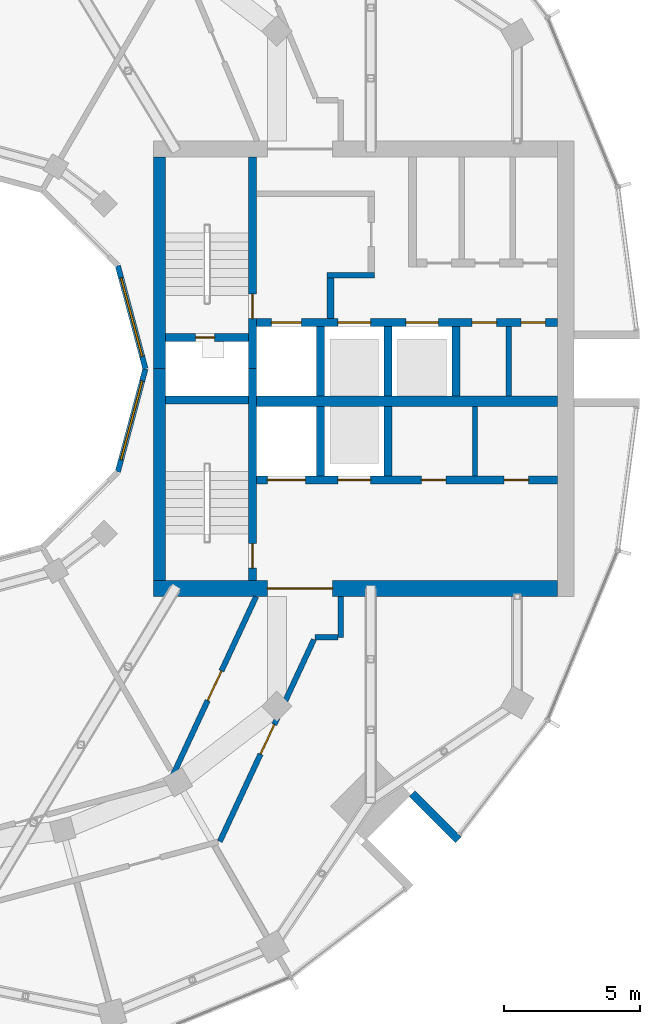
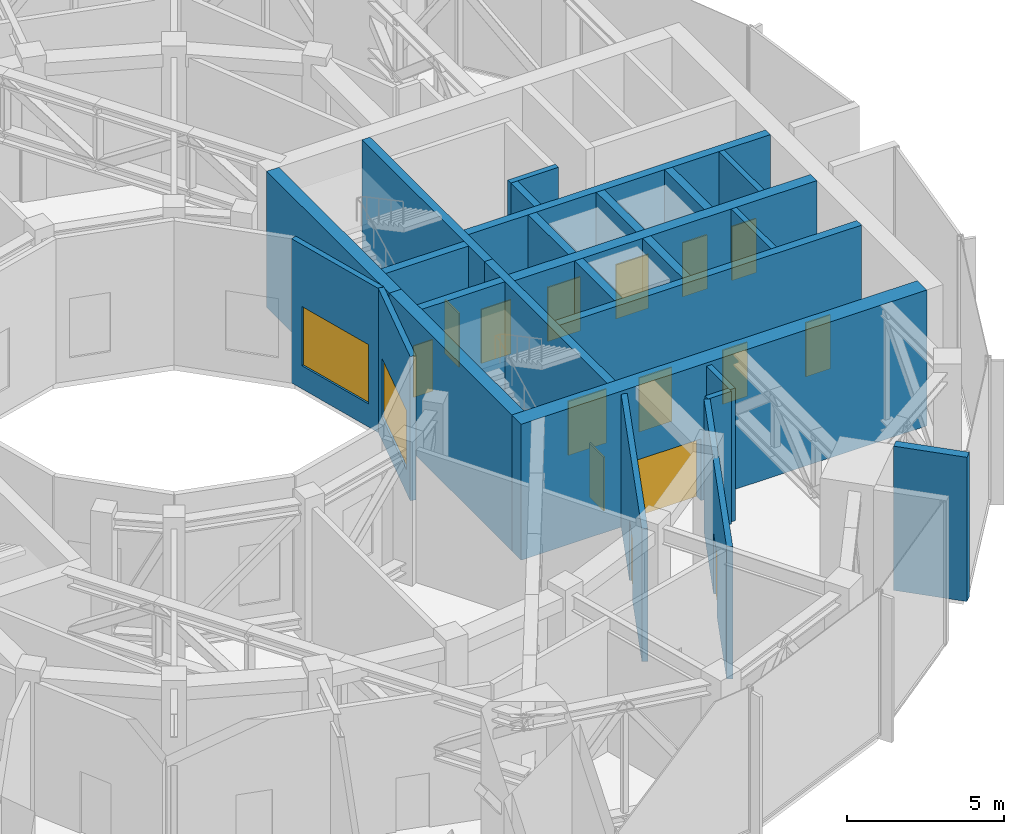
# One storey, part 14 of 18: 26 walls, 15 doors, 2 windows, 17 openings.
"""IFC4 building model written with IfcOpenShell, lengths in metres."""

from ifc_helpers import new_model, si_unit, direction, frame, frame_2d, origin, place, context, subcontext, project, spatial, rectangle, extrude, material, layer, layer_set, type_object, element, fill, save


model = new_model("IFC4")

# Units and contexts
model_context = context("Model", 3, precision=1e-05, world=origin(), true_north=direction((0.0, 1.0)))
body_context = subcontext(model_context, "Body", "Model", "MODEL_VIEW")
ifc_project = project(units=[si_unit("LENGTHUNIT", "METRE"), si_unit("AREAUNIT", "SQUARE_METRE"), si_unit("VOLUMEUNIT", "CUBIC_METRE"), si_unit("PLANEANGLEUNIT", "RADIAN"), si_unit("MASSUNIT", "GRAM", prefix="KILO")], contexts=[model_context])

# Site, building, storey
site_placement = place(None, origin())
site = spatial("IfcSite", under=ifc_project, at=site_placement, CompositionType="ELEMENT")
building_placement = place(site_placement, origin())
building = spatial("IfcBuilding", under=site, at=building_placement, Name="Torre Brocal", CompositionType="ELEMENT")
storey_placement = place(building_placement, frame((0.0, 0.0, 206.89990234375)))
storey = spatial("IfcBuildingStorey", under=building, at=storey_placement, Name="L48", CompositionType="ELEMENT", Elevation=206.89990234375)

# Walls
ifc_material_1 = material(Name="Masonry block", Category="masonry")
ifc_layer_1 = layer(ifc_material_1, 0.199951171875)
ifc_layer_set_1 = layer_set([ifc_layer_1], Name="Masonry block")
wall_type_1 = type_object("IfcWallType", Name="CORE PARTITION 200", PredefinedType="PARTITIONING", material=ifc_layer_set_1)
for number, where, z_axis, x_axis, name in (
    (1, (101.0, 74.0, 0.0), (0.0, 0.0, 1.0), (0.0, 1.0, 0.0), "Wall CP200"),
    (2, (99.75, 71.050048828125, 0.0), (0.0, 0.0, 1.0), (0.0, 1.0, 0.0), "Wall CP200"),
):
    element("IfcWall", number, at=place(storey_placement, frame(where, z_axis=z_axis, x_axis=x_axis)), inside=storey, type_object=wall_type_1, Name=name, PredefinedType="PARTITIONING", context=body_context, shape_type="SweptSolid", body=[
        extrude(rectangle(XDim=2.550048828125, YDim=0.199951171875, at=frame_2d((1.27490234375, 0.0))), origin(), (0.0, 0.0, 1.0), 5.280029296875),
    ])
ifc_material_2 = material(Name="Concrete C60", Category="concrete")
ifc_layer_2 = layer(ifc_material_2, 0.199951171875)
ifc_layer_set_2 = layer_set([ifc_layer_2], Name="Concrete C60")
wall_type_2 = type_object("IfcWallType", Name="CORE WALL 200 C60", PredefinedType="SHEAR", material=ifc_layer_set_2)
wall_1_placement = place(storey_placement, frame((94.300048828125, 78.449951171875, 0.0), z_axis=(0.0, 0.0, 1.0), x_axis=(1.0, 0.0, 0.0)))
element("IfcWall", 3, at=wall_1_placement, inside=storey, type_object=wall_type_2, Name="Wall CW200-60", PredefinedType="SHEAR", context=body_context, shape_type="SweptSolid", body=[
    extrude(rectangle(XDim=1.75, YDim=0.199951171875, at=frame_2d((0.875, 0.0))), origin(), (0.0, 0.0, 1.0), 5.280029296875),
])
ifc_material_3 = material(Name="Concrete C60", Category="concrete")
ifc_layer_3 = layer(ifc_material_3, 0.25)
ifc_layer_set_3 = layer_set([ifc_layer_3], Name="Concrete C60")
wall_type_3 = type_object("IfcWallType", Name="CORE WALL 250 C60", PredefinedType="SHEAR", material=ifc_layer_set_3)
wall_2_placement = place(storey_placement, frame((94.425048828125, 76.85009765625, 0.0), z_axis=(0.0, 0.0, 1.0), x_axis=(0.0, 1.0, 0.0)))
element("IfcWall", 4, at=wall_2_placement, inside=storey, type_object=wall_type_3, Name="Wall CW250-60", PredefinedType="SHEAR", context=body_context, shape_type="SweptSolid", body=[
    extrude(rectangle(XDim=1.5, YDim=0.25, at=frame_2d((0.75, 0.0))), origin(), (0.0, 0.0, 1.0), 5.280029296875),
])

# Wall, opening, door
ifc_material_4 = material(Name="Concrete C60", Category="concrete")
ifc_layer_4 = layer(ifc_material_4, 0.300048828125)
ifc_layer_set_4 = layer_set([ifc_layer_4], Name="Concrete C60")
wall_type_4 = type_object("IfcWallType", Name="CORE WALL 300 C60", PredefinedType="SHEAR", material=ifc_layer_set_4)
wall_3_placement = place(storey_placement, frame((91.550048828125, 75.0, 0.0), z_axis=(0.0, 0.0, 1.0), x_axis=(0.0, 1.0, 0.0)))
wall_3 = element("IfcWall", 5, at=wall_3_placement, inside=storey, type_object=wall_type_4, Name="Wall CW300-60", PredefinedType="SHEAR", context=body_context, shape_type="SweptSolid", body=[
    extrude(rectangle(XDim=7.800048828125, YDim=0.300048828125, at=frame_2d((3.89990234375, 0.0))), origin(), (0.0, 0.0, 1.0), 5.280029296875),
])
opening_1_placement = place(wall_3_placement, frame((1.85009765625, 0.0, 0.0)))
opening_1 = element("IfcOpeningElement", 6, at=opening_1_placement, cuts=wall_3, Name="Opening E-D02", PredefinedType="OPENING", context=body_context, shape_type="SweptSolid", body=[
    extrude(rectangle(XDim=0.89990234375, YDim=2.10009765625, at=frame_2d((0.449951171875, 1.050048828125))), frame((0.0, 0.159912109375, 0.0), z_axis=(0.0, -1.0, 0.0), x_axis=(1.0, 0.0, 0.0)), (0.0, 0.0, 1.0), 0.320068359375),
])
ifc_material_5 = material(Name="Steel A653", Category="steel")
door_type_1 = type_object("IfcDoorType", Name="STAIR DOOR FD120 900X2100", OperationType="SINGLE_SWING_RIGHT", PredefinedType="DOOR", material=ifc_material_5)
door_1_placement = place(opening_1_placement, origin())
door_1 = element("IfcDoor", 7, at=door_1_placement, inside=storey, type_object=door_type_1, Name="Door E-D02", OperationType="SINGLE_SWING_LEFT", OverallHeight=2.10009765625, OverallWidth=0.89990234375, PredefinedType="DOOR", context=body_context, shape_type="SweptSolid", body=[
    extrude(rectangle(XDim=0.89990234375, YDim=2.10009765625, at=frame_2d((0.449951171875, 1.050048828125))), frame((0.0, 0.02490234375, 0.0), z_axis=(0.0, -1.0, 0.0), x_axis=(1.0, 0.0, 0.0)), (0.0, 0.0, 1.0), 0.050048828125),
])
fill(opening_1, door_1)

wall_4_placement = place(storey_placement, frame((91.550048828125, 67.199951171875, 0.0), z_axis=(0.0, 0.0, 1.0), x_axis=(0.0, 1.0, 0.0)))
wall_4 = element("IfcWall", 8, at=wall_4_placement, inside=storey, type_object=wall_type_4, Name="Wall CW300-60", PredefinedType="SHEAR", context=body_context, shape_type="SweptSolid", body=[
    extrude(rectangle(XDim=7.800048828125, YDim=0.300048828125, at=frame_2d((3.89990234375, 0.0))), origin(), (0.0, 0.0, 1.0), 5.280029296875),
])
opening_2_placement = place(wall_4_placement, frame((0.449951171875, 0.0, 0.0)))
opening_2 = element("IfcOpeningElement", 9, at=opening_2_placement, cuts=wall_4, Name="Opening E-D03", PredefinedType="OPENING", context=body_context, shape_type="SweptSolid", body=[
    extrude(rectangle(XDim=0.89990234375, YDim=2.10009765625, at=frame_2d((0.449951171875, 1.050048828125))), frame((0.0, 0.159912109375, 0.0), z_axis=(0.0, -1.0, 0.0), x_axis=(1.0, 0.0, 0.0)), (0.0, 0.0, 1.0), 0.320068359375),
])
door_2_placement = place(opening_2_placement, origin())
door_2 = element("IfcDoor", 10, at=door_2_placement, inside=storey, type_object=door_type_1, Name="Door E-D03", OperationType="SINGLE_SWING_LEFT", OverallHeight=2.10009765625, OverallWidth=0.89990234375, PredefinedType="DOOR", context=body_context, shape_type="SweptSolid", body=[
    extrude(rectangle(XDim=0.89990234375, YDim=2.10009765625, at=frame_2d((0.449951171875, 1.050048828125))), frame((0.0, 0.02490234375, 0.0), z_axis=(0.0, -1.0, 0.0), x_axis=(1.0, 0.0, 0.0)), (0.0, 0.0, 1.0), 0.050048828125),
])
fill(opening_2, door_2)

wall_5_placement = place(storey_placement, frame((88.35009765625, 76.14990234375, 0.0), z_axis=(0.0, 0.0, 1.0), x_axis=(1.0, 0.0, 0.0)))
wall_5 = element("IfcWall", 11, at=wall_5_placement, inside=storey, type_object=wall_type_4, Name="Wall CW300-60", PredefinedType="SHEAR", context=body_context, shape_type="SweptSolid", body=[
    extrude(rectangle(XDim=3.0498046875, YDim=0.300048828125, at=frame_2d((1.52490234375, 0.0))), origin(), (0.0, 0.0, 1.0), 5.280029296875),
])
opening_3_placement = place(wall_5_placement, frame((1.10009765625, 0.0, 0.0)))
opening_3 = element("IfcOpeningElement", 12, at=opening_3_placement, cuts=wall_5, Name="Opening E-D01", PredefinedType="OPENING", context=body_context, shape_type="SweptSolid", body=[
    extrude(rectangle(XDim=0.699951171875, YDim=2.0, at=frame_2d((0.35009765625, 1.0))), frame((0.0, 0.159912109375, 0.0), z_axis=(0.0, -1.0, 0.0), x_axis=(1.0, 0.0, 0.0)), (0.0, 0.0, 1.0), 0.320068359375),
])
ifc_material_6 = material(Name="Steel A653", Category="steel")
door_type_2 = type_object("IfcDoorType", Name="RISER DOOR FD120 700X2000", OperationType="SINGLE_SWING_LEFT", PredefinedType="DOOR", material=ifc_material_6)
door_3_placement = place(opening_3_placement, frame((0.699951171875, 0.0, 0.0), z_axis=(0.0, 0.0, 1.0), x_axis=(-1.0, 0.0, 0.0)))
door_3 = element("IfcDoor", 13, at=door_3_placement, inside=storey, type_object=door_type_2, Name="Door E-D01", OperationType="SINGLE_SWING_RIGHT", OverallHeight=2.0, OverallWidth=0.699951171875, PredefinedType="DOOR", context=body_context, shape_type="SweptSolid", body=[
    extrude(rectangle(XDim=0.699951171875, YDim=2.0, at=frame_2d((0.35009765625, 1.0))), frame((0.0, 0.02490234375, 0.0), z_axis=(0.0, -1.0, 0.0), x_axis=(1.0, 0.0, 0.0)), (0.0, 0.0, 1.0), 0.050048828125),
])
fill(opening_3, door_3)

# Wall
wall_6_placement = place(storey_placement, frame((88.35009765625, 73.85009765625, 0.0), z_axis=(0.0, 0.0, 1.0), x_axis=(1.0, 0.0, 0.0)))
element("IfcWall", 14, at=wall_6_placement, inside=storey, type_object=wall_type_4, Name="Wall CW300-60", PredefinedType="SHEAR", context=body_context, shape_type="SweptSolid", body=[
    extrude(rectangle(XDim=3.0498046875, YDim=0.300048828125, at=frame_2d((1.52490234375, 0.0))), origin(), (0.0, 0.0, 1.0), 5.280029296875),
])

# Wall, openings, doors
wall_7_placement = place(storey_placement, frame((91.699951171875, 76.699951171875, 0.0), z_axis=(0.0, 0.0, 1.0), x_axis=(1.0, 0.0, 0.0)))
wall_7 = element("IfcWall", 15, at=wall_7_placement, inside=storey, type_object=wall_type_4, Name="Wall CW300-60", PredefinedType="SHEAR", context=body_context, shape_type="SweptSolid", body=[
    extrude(rectangle(XDim=11.10009765625, YDim=0.300048828125, at=frame_2d((5.550048828125, 0.0))), origin(), (0.0, 0.0, 1.0), 5.280029296875),
])
opening_4_placement = place(wall_7_placement, frame((0.550048828125, 0.0, 0.0)))
opening_4 = element("IfcOpeningElement", 16, at=opening_4_placement, cuts=wall_7, Name="Opening LD", PredefinedType="OPENING", context=body_context, shape_type="SweptSolid", body=[
    extrude(rectangle(XDim=1.10009765625, YDim=2.10009765625, at=frame_2d((0.550048828125, 1.050048828125))), frame((0.0, 0.159912109375, 0.0), z_axis=(0.0, -1.0, 0.0), x_axis=(1.0, 0.0, 0.0)), (0.0, 0.0, 1.0), 0.320068359375),
])
opening_5_placement = place(wall_7_placement, frame((3.0, 0.0, 0.0)))
opening_5 = element("IfcOpeningElement", 17, at=opening_5_placement, cuts=wall_7, Name="Opening LD12", PredefinedType="OPENING", context=body_context, shape_type="SweptSolid", body=[
    extrude(rectangle(XDim=1.199951171875, YDim=2.10009765625, at=frame_2d((0.60009765625, 1.050048828125))), frame((0.0, 0.159912109375, 0.0), z_axis=(0.0, -1.0, 0.0), x_axis=(1.0, 0.0, 0.0)), (0.0, 0.0, 1.0), 0.320068359375),
])
opening_6_placement = place(wall_7_placement, frame((5.5, 0.0, 0.0)))
opening_6 = element("IfcOpeningElement", 18, at=opening_6_placement, cuts=wall_7, Name="Opening LD12", PredefinedType="OPENING", context=body_context, shape_type="SweptSolid", body=[
    extrude(rectangle(XDim=1.199951171875, YDim=2.10009765625, at=frame_2d((0.60009765625, 1.050048828125))), frame((0.0, 0.159912109375, 0.0), z_axis=(0.0, -1.0, 0.0), x_axis=(1.0, 0.0, 0.0)), (0.0, 0.0, 1.0), 0.320068359375),
])
opening_7_placement = place(wall_7_placement, frame((7.949951171875, 0.0, 0.0)))
opening_7 = element("IfcOpeningElement", 19, at=opening_7_placement, cuts=wall_7, Name="Opening E-D04", PredefinedType="OPENING", context=body_context, shape_type="SweptSolid", body=[
    extrude(rectangle(XDim=0.89990234375, YDim=2.10009765625, at=frame_2d((0.449951171875, 1.050048828125))), frame((0.0, 0.159912109375, 0.0), z_axis=(0.0, -1.0, 0.0), x_axis=(1.0, 0.0, 0.0)), (0.0, 0.0, 1.0), 0.320068359375),
])
opening_8_placement = place(wall_7_placement, frame((9.75, 0.0, 0.0)))
opening_8 = element("IfcOpeningElement", 20, at=opening_8_placement, cuts=wall_7, Name="Opening E-D05", PredefinedType="OPENING", context=body_context, shape_type="SweptSolid", body=[
    extrude(rectangle(XDim=0.89990234375, YDim=2.10009765625, at=frame_2d((0.449951171875, 1.050048828125))), frame((0.0, 0.159912109375, 0.0), z_axis=(0.0, -1.0, 0.0), x_axis=(1.0, 0.0, 0.0)), (0.0, 0.0, 1.0), 0.320068359375),
])
ifc_material_7 = material(Name="Stainless steel AISI 316", Category="steel")
door_type_3 = type_object("IfcDoorType", Name="LIFT LANDING DOOR 1100X2100", OperationType="DOUBLE_DOOR_SLIDING", PredefinedType="DOOR", material=ifc_material_7)
door_4_placement = place(opening_4_placement, origin())
door_4 = element("IfcDoor", 21, at=door_4_placement, inside=storey, type_object=door_type_3, Name="Door LD", OperationType="DOUBLE_DOOR_SLIDING", OverallHeight=2.10009765625, OverallWidth=1.10009765625, PredefinedType="DOOR", context=body_context, shape_type="SweptSolid", body=[
    extrude(rectangle(XDim=1.10009765625, YDim=2.10009765625, at=frame_2d((0.550048828125, 1.050048828125))), frame((0.0, 0.02490234375, 0.0), z_axis=(0.0, -1.0, 0.0), x_axis=(1.0, 0.0, 0.0)), (0.0, 0.0, 1.0), 0.050048828125),
])
fill(opening_4, door_4)
ifc_material_8 = material(Name="Stainless steel AISI 316", Category="steel")
door_type_4 = type_object("IfcDoorType", Name="LIFT LANDING DOOR 1200X2100", OperationType="DOUBLE_DOOR_SLIDING", PredefinedType="DOOR", material=ifc_material_8)
door_5_placement = place(opening_5_placement, origin())
door_5 = element("IfcDoor", 22, at=door_5_placement, inside=storey, type_object=door_type_4, Name="Door LD12", OperationType="DOUBLE_DOOR_SLIDING", OverallHeight=2.10009765625, OverallWidth=1.199951171875, PredefinedType="DOOR", context=body_context, shape_type="SweptSolid", body=[
    extrude(rectangle(XDim=1.199951171875, YDim=2.10009765625, at=frame_2d((0.60009765625, 1.050048828125))), frame((0.0, 0.02490234375, 0.0), z_axis=(0.0, -1.0, 0.0), x_axis=(1.0, 0.0, 0.0)), (0.0, 0.0, 1.0), 0.050048828125),
])
fill(opening_5, door_5)
door_6_placement = place(opening_6_placement, origin())
door_6 = element("IfcDoor", 23, at=door_6_placement, inside=storey, type_object=door_type_4, Name="Door LD12", OperationType="DOUBLE_DOOR_SLIDING", OverallHeight=2.10009765625, OverallWidth=1.199951171875, PredefinedType="DOOR", context=body_context, shape_type="SweptSolid", body=[
    extrude(rectangle(XDim=1.199951171875, YDim=2.10009765625, at=frame_2d((0.60009765625, 1.050048828125))), frame((0.0, 0.02490234375, 0.0), z_axis=(0.0, -1.0, 0.0), x_axis=(1.0, 0.0, 0.0)), (0.0, 0.0, 1.0), 0.050048828125),
])
fill(opening_6, door_6)
ifc_material_9 = material(Name="Steel A653", Category="steel")
door_type_5 = type_object("IfcDoorType", Name="ROOM DOOR FD30S 900X2100", OperationType="SINGLE_SWING_LEFT", PredefinedType="DOOR", material=ifc_material_9)
door_7_placement = place(opening_7_placement, frame((0.89990234375, 0.0, 0.0), z_axis=(0.0, 0.0, 1.0), x_axis=(-1.0, 0.0, 0.0)))
door_7 = element("IfcDoor", 24, at=door_7_placement, inside=storey, type_object=door_type_5, Name="Door E-D04", OperationType="SINGLE_SWING_LEFT", OverallHeight=2.10009765625, OverallWidth=0.89990234375, PredefinedType="DOOR", context=body_context, shape_type="SweptSolid", body=[
    extrude(rectangle(XDim=0.89990234375, YDim=2.10009765625, at=frame_2d((0.449951171875, 1.050048828125))), frame((0.0, 0.02490234375, 0.0), z_axis=(0.0, -1.0, 0.0), x_axis=(1.0, 0.0, 0.0)), (0.0, 0.0, 1.0), 0.050048828125),
])
fill(opening_7, door_7)
door_8_placement = place(opening_8_placement, frame((0.89990234375, 0.0, 0.0), z_axis=(0.0, 0.0, 1.0), x_axis=(-1.0, 0.0, 0.0)))
door_8 = element("IfcDoor", 25, at=door_8_placement, inside=storey, type_object=door_type_5, Name="Door E-D05", OperationType="SINGLE_SWING_RIGHT", OverallHeight=2.10009765625, OverallWidth=0.89990234375, PredefinedType="DOOR", context=body_context, shape_type="SweptSolid", body=[
    extrude(rectangle(XDim=0.89990234375, YDim=2.10009765625, at=frame_2d((0.449951171875, 1.050048828125))), frame((0.0, 0.02490234375, 0.0), z_axis=(0.0, -1.0, 0.0), x_axis=(1.0, 0.0, 0.0)), (0.0, 0.0, 1.0), 0.050048828125),
])
fill(opening_8, door_8)

wall_8_placement = place(storey_placement, frame((91.699951171875, 70.89990234375, 0.0), z_axis=(0.0, 0.0, 1.0), x_axis=(1.0, 0.0, 0.0)))
wall_8 = element("IfcWall", 26, at=wall_8_placement, inside=storey, type_object=wall_type_4, Name="Wall CW300-60", PredefinedType="SHEAR", context=body_context, shape_type="SweptSolid", body=[
    extrude(rectangle(XDim=11.10009765625, YDim=0.300048828125, at=frame_2d((5.550048828125, 0.0))), origin(), (0.0, 0.0, 1.0), 5.280029296875),
])
opening_9_placement = place(wall_8_placement, frame((0.39990234375, 0.0, 0.0)))
opening_9 = element("IfcOpeningElement", 27, at=opening_9_placement, cuts=wall_8, Name="Opening LD14", PredefinedType="OPENING", context=body_context, shape_type="SweptSolid", body=[
    extrude(rectangle(XDim=1.39990234375, YDim=2.10009765625, at=frame_2d((0.699951171875, 1.050048828125))), frame((0.0, 0.159912109375, 0.0), z_axis=(0.0, -1.0, 0.0), x_axis=(1.0, 0.0, 0.0)), (0.0, 0.0, 1.0), 0.320068359375),
])
opening_10_placement = place(wall_8_placement, frame((3.0, 0.0, 0.0)))
opening_10 = element("IfcOpeningElement", 28, at=opening_10_placement, cuts=wall_8, Name="Opening LD12", PredefinedType="OPENING", context=body_context, shape_type="SweptSolid", body=[
    extrude(rectangle(XDim=1.199951171875, YDim=2.10009765625, at=frame_2d((0.60009765625, 1.050048828125))), frame((0.0, 0.159912109375, 0.0), z_axis=(0.0, -1.0, 0.0), x_axis=(1.0, 0.0, 0.0)), (0.0, 0.0, 1.0), 0.320068359375),
])
opening_11_placement = place(wall_8_placement, frame((6.074951171875, 0.0, 0.0)))
opening_11 = element("IfcOpeningElement", 29, at=opening_11_placement, cuts=wall_8, Name="Opening E-D06", PredefinedType="OPENING", context=body_context, shape_type="SweptSolid", body=[
    extrude(rectangle(XDim=0.89990234375, YDim=2.10009765625, at=frame_2d((0.449951171875, 1.050048828125))), frame((0.0, 0.159912109375, 0.0), z_axis=(0.0, -1.0, 0.0), x_axis=(1.0, 0.0, 0.0)), (0.0, 0.0, 1.0), 0.320068359375),
])
opening_12_placement = place(wall_8_placement, frame((9.125, 0.0, 0.0)))
opening_12 = element("IfcOpeningElement", 30, at=opening_12_placement, cuts=wall_8, Name="Opening E-D07", PredefinedType="OPENING", context=body_context, shape_type="SweptSolid", body=[
    extrude(rectangle(XDim=0.89990234375, YDim=2.10009765625, at=frame_2d((0.449951171875, 1.050048828125))), frame((0.0, 0.159912109375, 0.0), z_axis=(0.0, -1.0, 0.0), x_axis=(1.0, 0.0, 0.0)), (0.0, 0.0, 1.0), 0.320068359375),
])
door_9_placement = place(opening_10_placement, origin())
door_9 = element("IfcDoor", 31, at=door_9_placement, inside=storey, type_object=door_type_4, Name="Door LD12", OperationType="DOUBLE_DOOR_SLIDING", OverallHeight=2.10009765625, OverallWidth=1.199951171875, PredefinedType="DOOR", context=body_context, shape_type="SweptSolid", body=[
    extrude(rectangle(XDim=1.199951171875, YDim=2.10009765625, at=frame_2d((0.60009765625, 1.050048828125))), frame((0.0, 0.02490234375, 0.0), z_axis=(0.0, -1.0, 0.0), x_axis=(1.0, 0.0, 0.0)), (0.0, 0.0, 1.0), 0.050048828125),
])
fill(opening_10, door_9)
ifc_material_10 = material(Name="Stainless steel AISI 316", Category="steel")
door_type_6 = type_object("IfcDoorType", Name="LIFT LANDING DOOR 1400X2100", OperationType="DOUBLE_DOOR_SLIDING", PredefinedType="DOOR", material=ifc_material_10)
door_10_placement = place(opening_9_placement, origin())
door_10 = element("IfcDoor", 32, at=door_10_placement, inside=storey, type_object=door_type_6, Name="Door LD14", OperationType="DOUBLE_DOOR_SLIDING", OverallHeight=2.10009765625, OverallWidth=1.39990234375, PredefinedType="DOOR", context=body_context, shape_type="SweptSolid", body=[
    extrude(rectangle(XDim=1.39990234375, YDim=2.10009765625, at=frame_2d((0.699951171875, 1.050048828125))), frame((0.0, 0.02490234375, 0.0), z_axis=(0.0, -1.0, 0.0), x_axis=(1.0, 0.0, 0.0)), (0.0, 0.0, 1.0), 0.050048828125),
])
fill(opening_9, door_10)
door_11_placement = place(opening_11_placement, origin())
door_11 = element("IfcDoor", 33, at=door_11_placement, inside=storey, type_object=door_type_5, Name="Door E-D06", OperationType="SINGLE_SWING_RIGHT", OverallHeight=2.10009765625, OverallWidth=0.89990234375, PredefinedType="DOOR", context=body_context, shape_type="SweptSolid", body=[
    extrude(rectangle(XDim=0.89990234375, YDim=2.10009765625, at=frame_2d((0.449951171875, 1.050048828125))), frame((0.0, 0.02490234375, 0.0), z_axis=(0.0, -1.0, 0.0), x_axis=(1.0, 0.0, 0.0)), (0.0, 0.0, 1.0), 0.050048828125),
])
fill(opening_11, door_11)
door_12_placement = place(opening_12_placement, origin())
door_12 = element("IfcDoor", 34, at=door_12_placement, inside=storey, type_object=door_type_5, Name="Door E-D07", OperationType="SINGLE_SWING_LEFT", OverallHeight=2.10009765625, OverallWidth=0.89990234375, PredefinedType="DOOR", context=body_context, shape_type="SweptSolid", body=[
    extrude(rectangle(XDim=0.89990234375, YDim=2.10009765625, at=frame_2d((0.449951171875, 1.050048828125))), frame((0.0, 0.02490234375, 0.0), z_axis=(0.0, -1.0, 0.0), x_axis=(1.0, 0.0, 0.0)), (0.0, 0.0, 1.0), 0.050048828125),
])
fill(opening_12, door_12)

# Walls
for number, where, z_axis, x_axis, name in (
    (35, (94.050048828125, 74.0, 0.0), (0.0, 0.0, 1.0), (0.0, 1.0, 0.0), "Wall CW300-60"),
    (36, (96.550048828125, 74.0, 0.0), (0.0, 0.0, 1.0), (0.0, 1.0, 0.0), "Wall CW300-60"),
    (37, (99.050048828125, 74.0, 0.0), (0.0, 0.0, 1.0), (0.0, 1.0, 0.0), "Wall CW300-60"),
    (38, (94.050048828125, 71.050048828125, 0.0), (0.0, 0.0, 1.0), (0.0, 1.0, 0.0), "Wall CW300-60"),
    (39, (96.550048828125, 71.050048828125, 0.0), (0.0, 0.0, 1.0), (0.0, 1.0, 0.0), "Wall CW300-60"),
):
    element("IfcWall", number, at=place(storey_placement, frame(where, z_axis=z_axis, x_axis=x_axis)), inside=storey, type_object=wall_type_4, Name=name, PredefinedType="SHEAR", context=body_context, shape_type="SweptSolid", body=[
        extrude(rectangle(XDim=2.550048828125, YDim=0.300048828125, at=frame_2d((1.27490234375, 0.0))), origin(), (0.0, 0.0, 1.0), 5.280029296875),
    ])
ifc_material_11 = material(Name="Concrete C60", Category="concrete")
ifc_layer_5 = layer(ifc_material_11, 0.39990234375)
ifc_layer_set_5 = layer_set([ifc_layer_5], Name="Concrete C60")
wall_type_5 = type_object("IfcWallType", Name="CORE WALL 400 C60", PredefinedType="SHEAR", material=ifc_layer_set_5)
wall_9_placement = place(storey_placement, frame((91.699951171875, 73.800048828125, 0.0), z_axis=(0.0, 0.0, 1.0), x_axis=(1.0, 0.0, 0.0)))
element("IfcWall", 40, at=wall_9_placement, inside=storey, type_object=wall_type_5, Name="Wall CW400-60", PredefinedType="SHEAR", context=body_context, shape_type="SweptSolid", body=[
    extrude(rectangle(XDim=11.10009765625, YDim=0.39990234375, at=frame_2d((5.550048828125, 0.0))), origin(), (0.0, 0.0, 1.0), 5.280029296875),
])
ifc_material_12 = material(Name="Concrete C60", Category="concrete")
ifc_layer_6 = layer(ifc_material_12, 0.449951171875)
ifc_layer_set_6 = layer_set([ifc_layer_6], Name="Concrete C60")
wall_type_6 = type_object("IfcWallType", Name="CORE WALL 450 C60", PredefinedType="SHEAR", material=ifc_layer_set_6)
for number, where, z_axis, x_axis, name in (
    (41, (88.125, 75.0, 0.0), (0.0, 0.0, 1.0), (0.0, 1.0, 0.0), "Wall CW450-60"),
    (42, (88.125, 67.199951171875, 0.0), (0.0, 0.0, 1.0), (0.0, 1.0, 0.0), "Wall CW450-60"),
):
    element("IfcWall", number, at=place(storey_placement, frame(where, z_axis=z_axis, x_axis=x_axis)), inside=storey, type_object=wall_type_6, Name=name, PredefinedType="SHEAR", context=body_context, shape_type="SweptSolid", body=[
        extrude(rectangle(XDim=7.800048828125, YDim=0.449951171875, at=frame_2d((3.89990234375, 0.0))), origin(), (0.0, 0.0, 1.0), 5.280029296875),
    ])

# Wall, opening, door
ifc_material_13 = material(Name="Concrete C60", Category="concrete")
ifc_layer_7 = layer(ifc_material_13, 0.60009765625)
ifc_layer_set_7 = layer_set([ifc_layer_7], Name="Concrete C60")
wall_type_7 = type_object("IfcWallType", Name="CORE WALL 600 C60", PredefinedType="SHEAR", material=ifc_layer_set_7)
wall_10_placement = place(storey_placement, frame((87.89990234375, 66.89990234375, 0.0), z_axis=(0.0, 0.0, 1.0), x_axis=(1.0, 0.0, 0.0)))
wall_10 = element("IfcWall", 43, at=wall_10_placement, inside=storey, type_object=wall_type_7, Name="Wall CW600-60", PredefinedType="SHEAR", context=body_context, shape_type="SweptSolid", body=[
    extrude(rectangle(XDim=14.900146484375, YDim=0.60009765625, at=frame_2d((7.4501953125, 0.0))), origin(), (0.0, 0.0, 1.0), 5.280029296875),
])
opening_13_placement = place(wall_10_placement, frame((4.199951171875, 0.0, 0.0)))
opening_13 = element("IfcOpeningElement", 44, at=opening_13_placement, cuts=wall_10, Name="Opening E-D13", PredefinedType="OPENING", context=body_context, shape_type="SweptSolid", body=[
    extrude(rectangle(XDim=2.39990234375, YDim=2.39990234375, at=frame_2d((1.199951171875, 1.199951171875))), frame((0.0, 0.31005859375, 0.0), z_axis=(0.0, -1.0, 0.0), x_axis=(1.0, 0.0, 0.0)), (0.0, 0.0, 1.0), 0.6201171875),
])
ifc_material_14 = material(Name="Steel A653", Category="steel")
door_type_7 = type_object("IfcDoorType", Name="DOUBLE FIRE DOOR FD90 2400X2400", OperationType="DOUBLE_DOOR_SINGLE_SWING", PredefinedType="DOOR", material=ifc_material_14)
door_13_placement = place(opening_13_placement, origin())
door_13 = element("IfcDoor", 45, at=door_13_placement, inside=storey, type_object=door_type_7, Name="Door E-D13", OperationType="DOUBLE_DOOR_SINGLE_SWING", OverallHeight=2.39990234375, OverallWidth=2.39990234375, PredefinedType="DOOR", context=body_context, shape_type="SweptSolid", body=[
    extrude(rectangle(XDim=2.39990234375, YDim=2.39990234375, at=frame_2d((1.199951171875, 1.199951171875))), frame((0.0, 0.02490234375, 0.0), z_axis=(0.0, -1.0, 0.0), x_axis=(1.0, 0.0, 0.0)), (0.0, 0.0, 1.0), 0.050048828125),
])
fill(opening_13, door_13)

# Wall
ifc_material_15 = material(Name="Concrete C60", Category="concrete")
ifc_layer_8 = layer(ifc_material_15, 0.300048828125)
ifc_layer_set_8 = layer_set([ifc_layer_8], Name="Concrete C60")
wall_type_8 = type_object("IfcWallType", Name="NOTCH RETURN WALL 300 C60", PredefinedType="NOTDEFINED", material=ifc_layer_set_8)
wall_11_placement = place(storey_placement, frame((97.43017578125, 59.337646484375, 0.0), z_axis=(0.0, 0.0, 1.0), x_axis=(0.707106781187, -0.707106781187, 0.0)))
element("IfcWall", 46, at=wall_11_placement, inside=storey, type_object=wall_type_8, Name="NOTCH RETURN WALL", PredefinedType="NOTDEFINED", context=body_context, shape_type="SweptSolid", body=[
    extrude(rectangle(XDim=2.415771484375, YDim=0.300048828125, at=frame_2d((1.2080078125, 0.0))), origin(), (0.0, 0.0, 1.0), 5.60009765625),
])

# Wall, opening, door
ifc_material_16 = material(Name="Masonry block", Category="masonry")
ifc_layer_9 = layer(ifc_material_16, 0.199951171875)
ifc_layer_set_9 = layer_set([ifc_layer_9], Name="Masonry block")
wall_type_9 = type_object("IfcWallType", Name="PARTITION 200 EI120", PredefinedType="PARTITIONING", material=ifc_layer_set_9)
wall_12_placement = place(storey_placement, frame((88.501953125, 59.77392578125, 0.0), z_axis=(0.0, 0.0, 1.0), x_axis=(0.422164659646, 0.906519167004, 0.0)))
wall_12 = element("IfcWall", 47, at=wall_12_placement, inside=storey, type_object=wall_type_9, Name="PLANT ROOM WALL", PredefinedType="PARTITIONING", context=body_context, shape_type="SweptSolid", body=[
    extrude(rectangle(XDim=7.529541015625, YDim=0.199951171875, at=frame_2d((3.7646484375, 0.0))), origin(), (0.0, 0.0, 1.0), 5.150146484375),
])
opening_14_placement = place(wall_12_placement, frame((3.3076171875, 0.0, 0.0)))
opening_14 = element("IfcOpeningElement", 48, at=opening_14_placement, cuts=wall_12, Name="Opening X2-D16", PredefinedType="OPENING", context=body_context, shape_type="SweptSolid", body=[
    extrude(rectangle(XDim=1.199951171875, YDim=2.39990234375, at=frame_2d((0.60009765625, 1.199951171875))), frame((0.0, 0.10986328125, 0.0), z_axis=(0.0, -1.0, 0.0), x_axis=(1.0, 0.0, 0.0)), (0.0, 0.0, 1.0), 0.219970703125),
])
ifc_material_17 = material(Name="Steel A653", Category="steel")
door_type_8 = type_object("IfcDoorType", Name="PLANT DOOR FD90 1200X2400", OperationType="SINGLE_SWING_RIGHT", PredefinedType="DOOR", material=ifc_material_17)
door_14_placement = place(opening_14_placement, origin())
door_14 = element("IfcDoor", 49, at=door_14_placement, inside=storey, type_object=door_type_8, Name="X2-D16", OperationType="SINGLE_SWING_LEFT", OverallHeight=2.39990234375, OverallWidth=1.199951171875, PredefinedType="DOOR", context=body_context, shape_type="SweptSolid", body=[
    extrude(rectangle(XDim=1.199951171875, YDim=2.39990234375, at=frame_2d((0.60009765625, 1.199951171875))), frame((0.0, 0.02490234375, 0.0), z_axis=(0.0, -1.0, 0.0), x_axis=(1.0, 0.0, 0.0)), (0.0, 0.0, 1.0), 0.050048828125),
])
fill(opening_14, door_14)

wall_13_placement = place(storey_placement, frame((90.346923828125, 57.577392578125, 0.0), z_axis=(0.0, 0.0, 1.0), x_axis=(0.422271497137, 0.906469405278, 0.0)))
wall_13 = element("IfcWall", 50, at=wall_13_placement, inside=storey, type_object=wall_type_9, Name="PLANT ROOM WALL", PredefinedType="PARTITIONING", context=body_context, shape_type="SweptSolid", body=[
    extrude(rectangle(XDim=8.208251953125, YDim=0.199951171875, at=frame_2d((4.10400390625, 0.0))), origin(), (0.0, 0.0, 1.0), 5.150146484375),
])
opening_15_placement = place(wall_13_placement, frame((3.549072265625, 0.0, 0.0)))
opening_15 = element("IfcOpeningElement", 51, at=opening_15_placement, cuts=wall_13, Name="Opening X2-D10", PredefinedType="OPENING", context=body_context, shape_type="SweptSolid", body=[
    extrude(rectangle(XDim=1.199951171875, YDim=2.39990234375, at=frame_2d((0.60009765625, 1.199951171875))), frame((0.0, 0.10986328125, 0.0), z_axis=(0.0, -1.0, 0.0), x_axis=(1.0, 0.0, 0.0)), (0.0, 0.0, 1.0), 0.219970703125),
])
door_15_placement = place(opening_15_placement, frame((1.199951171875, 0.0, 0.0), z_axis=(0.0, 0.0, 1.0), x_axis=(-1.0, 0.0, 0.0)))
door_15 = element("IfcDoor", 52, at=door_15_placement, inside=storey, type_object=door_type_8, Name="X2-D10", OperationType="SINGLE_SWING_LEFT", OverallHeight=2.39990234375, OverallWidth=1.199951171875, PredefinedType="DOOR", context=body_context, shape_type="SweptSolid", body=[
    extrude(rectangle(XDim=1.199951171875, YDim=2.39990234375, at=frame_2d((0.60009765625, 1.199951171875))), frame((0.0, 0.02490234375, 0.0), z_axis=(0.0, -1.0, 0.0), x_axis=(1.0, 0.0, 0.0)), (0.0, 0.0, 1.0), 0.050048828125),
])
fill(opening_15, door_15)

# Walls
wall_14_placement = place(storey_placement, frame((93.85107421875, 65.10009765625, 0.0), z_axis=(0.0, 0.0, 1.0), x_axis=(1.0, 0.0, 0.0)))
element("IfcWall", 53, at=wall_14_placement, inside=storey, type_object=wall_type_9, Name="PLANT ROOM WALL", PredefinedType="PARTITIONING", context=body_context, shape_type="SweptSolid", body=[
    extrude(rectangle(XDim=0.848876953125, YDim=0.199951171875, at=frame_2d((0.42431640625, 0.0))), origin(), (0.0, 0.0, 1.0), 5.150146484375),
])
wall_15_placement = place(storey_placement, frame((94.800048828125, 65.10009765625, 0.0), z_axis=(0.0, 0.0, 1.0), x_axis=(0.0, 1.0, 0.0)))
element("IfcWall", 54, at=wall_15_placement, inside=storey, type_object=wall_type_9, Name="PLANT ROOM WALL", PredefinedType="PARTITIONING", context=body_context, shape_type="SweptSolid", body=[
    extrude(rectangle(XDim=1.4990234375, YDim=0.199951171875, at=frame_2d((0.74951171875, 0.0))), origin(), (0.0, 0.0, 1.0), 5.150146484375),
])

# Wall, opening, window
ifc_material_18 = material(Name="Concrete C40", Category="concrete")
ifc_layer_10 = layer(ifc_material_18, 0.199951171875)
ifc_layer_set_10 = layer_set([ifc_layer_10], Name="Concrete C40")
wall_type_10 = type_object("IfcWallType", Name="WELL FACADE WALL 200", PredefinedType="NOTDEFINED", material=ifc_layer_set_10)
wall_16_placement = place(storey_placement, frame((87.603515625, 75.0, 0.0), z_axis=(0.0, 0.0, 1.0), x_axis=(-0.258789828301, 0.965933654434, 0.0)))
wall_16 = element("IfcWall", 55, at=wall_16_placement, inside=storey, type_object=wall_type_10, Name="WELL FACADE WALL", PredefinedType="NOTDEFINED", context=body_context, shape_type="SweptSolid", body=[
    extrude(rectangle(XDim=3.935791015625, YDim=0.199951171875, at=frame_2d((1.9677734375, 0.0))), origin(), (0.0, 0.0, 1.0), 5.60009765625),
])
opening_16_placement = place(wall_16_placement, frame((0.468017578125, 0.0, 0.89990234375)))
opening_16 = element("IfcOpeningElement", 56, at=opening_16_placement, cuts=wall_16, Name="Opening W1", PredefinedType="OPENING", context=body_context, shape_type="SweptSolid", body=[
    extrude(rectangle(XDim=3.0, YDim=2.300048828125, at=frame_2d((1.5, 1.14990234375))), frame((0.0, 0.10986328125, 0.0), z_axis=(0.0, -1.0, 0.0), x_axis=(1.0, 0.0, 0.0)), (0.0, 0.0, 1.0), 0.219970703125),
])
ifc_material_19 = material(Name="Aluminium and glass", Category="aluminium")
window_type = type_object("IfcWindowType", Name="WELL WINDOW 3000X2300", PartitioningType="SINGLE_PANEL", PredefinedType="WINDOW", material=ifc_material_19)
window_1_placement = place(opening_16_placement, origin())
window_1 = element("IfcWindow", 57, at=window_1_placement, inside=storey, type_object=window_type, Name="WELL WINDOW 3000X2300", OverallHeight=2.300048828125, OverallWidth=3.0, PartitioningType="SINGLE_PANEL", PredefinedType="WINDOW", context=body_context, shape_type="SweptSolid", body=[
    extrude(rectangle(XDim=3.0, YDim=2.300048828125, at=frame_2d((1.5, 1.14990234375))), frame((0.0, 0.030029296875, 0.0), z_axis=(0.0, -1.0, 0.0), x_axis=(1.0, 0.0, 0.0)), (0.0, 0.0, 1.0), 0.06005859375),
])
fill(opening_16, window_1)

wall_17_placement = place(storey_placement, frame((86.5849609375, 71.1982421875, 0.0), z_axis=(0.0, 0.0, 1.0), x_axis=(0.258789828301, 0.965933654434, 0.0)))
wall_17 = element("IfcWall", 58, at=wall_17_placement, inside=storey, type_object=wall_type_10, Name="WELL FACADE WALL", PredefinedType="NOTDEFINED", context=body_context, shape_type="SweptSolid", body=[
    extrude(rectangle(XDim=3.935791015625, YDim=0.199951171875, at=frame_2d((1.9677734375, 0.0))), origin(), (0.0, 0.0, 1.0), 5.60009765625),
])
opening_17_placement = place(wall_17_placement, frame((0.468017578125, 0.0, 0.89990234375)))
opening_17 = element("IfcOpeningElement", 59, at=opening_17_placement, cuts=wall_17, Name="Opening W1", PredefinedType="OPENING", context=body_context, shape_type="SweptSolid", body=[
    extrude(rectangle(XDim=3.0, YDim=2.300048828125, at=frame_2d((1.5, 1.14990234375))), frame((0.0, 0.10986328125, 0.0), z_axis=(0.0, -1.0, 0.0), x_axis=(1.0, 0.0, 0.0)), (0.0, 0.0, 1.0), 0.219970703125),
])
window_2_placement = place(opening_17_placement, origin())
window_2 = element("IfcWindow", 60, at=window_2_placement, inside=storey, type_object=window_type, Name="WELL WINDOW 3000X2300", OverallHeight=2.300048828125, OverallWidth=3.0, PartitioningType="SINGLE_PANEL", PredefinedType="WINDOW", context=body_context, shape_type="SweptSolid", body=[
    extrude(rectangle(XDim=3.0, YDim=2.300048828125, at=frame_2d((1.5, 1.14990234375))), frame((0.0, 0.030029296875, 0.0), z_axis=(0.0, -1.0, 0.0), x_axis=(1.0, 0.0, 0.0)), (0.0, 0.0, 1.0), 0.06005859375),
])
fill(opening_17, window_2)

save(model, "model.ifc")
